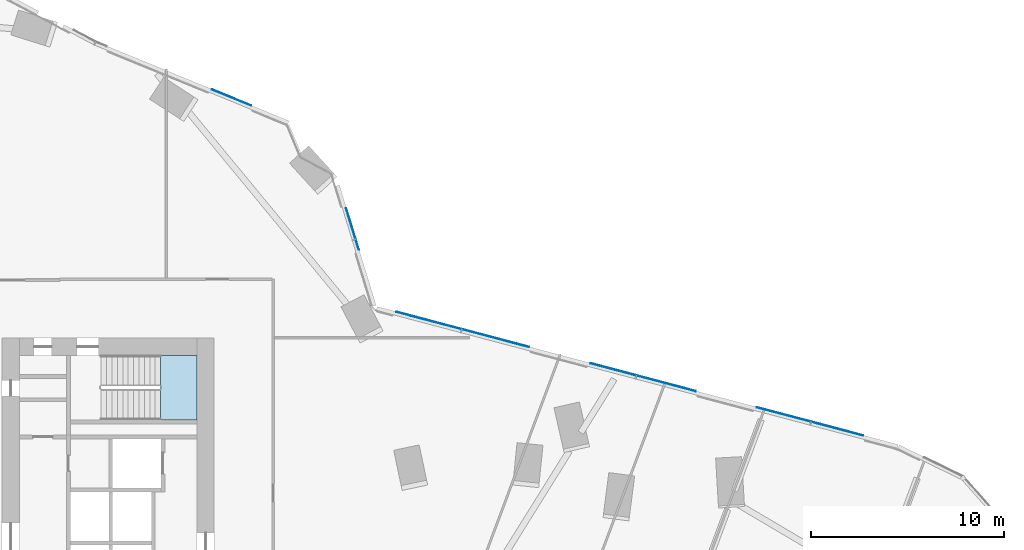
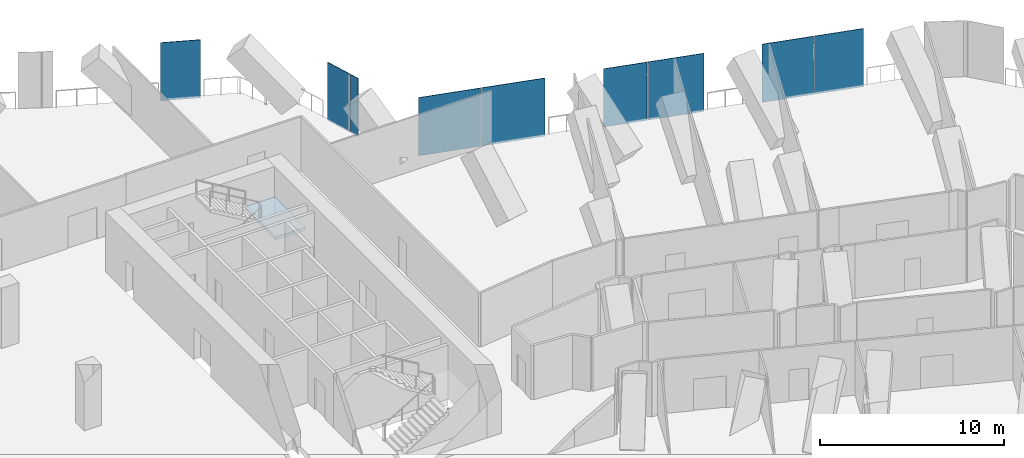
# One storey, part 24 of 34: 9 plates, 1 slab, 4 elements without a shape of their own.
"""IFC4 building model written with IfcOpenShell, lengths in metres."""

import ifcopenshell
import ifcopenshell.guid

model = None  # the IFC model being written
_history = None  # IfcOwnerHistory: only IFC2X3 demands one
_inside = {}  # id of a spatial element -> (the spatial element, [elements in it])
_under = {}  # id of a project, library or spatial element -> (it, [spatial elements below it])
_declared = {}  # id of a project -> (the project, [libraries it declares])
_typed = {}  # id of a type object -> (the type object, [elements of that type])
_made_of = {}  # id of a material, layer set ... -> (it, [elements and type objects made of it])


def new_model(schema):
    """Start an empty IFC model of exactly this schema.

    Asked for "IFC4X3", IfcOpenShell would pick the latest addendum, in which some entities
    have other attributes; the version numbers below select the first issue.
    IFC2X3 requires an IfcOwnerHistory on every rooted entity: one is made here for all.
    """
    global model, _history
    if schema == "IFC4X3":
        model = ifcopenshell.file(schema_version=(4, 3, 0, 0))
    else:
        model = ifcopenshell.file(schema=schema)
    _inside.clear()
    _under.clear()
    _declared.clear()
    _typed.clear()
    _made_of.clear()
    _history = None
    if model.schema == "IFC2X3":
        org = make("IfcOrganization", Name="unknown")
        user = make(
            "IfcPersonAndOrganization",
            ThePerson=make("IfcPerson", FamilyName="unknown"),
            TheOrganization=org,
        )
        app = make(
            "IfcApplication",
            ApplicationDeveloper=org,
            Version="unknown",
            ApplicationFullName="unknown",
            ApplicationIdentifier="unknown",
        )
        _history = make(
            "IfcOwnerHistory",
            OwningUser=user,
            OwningApplication=app,
            ChangeAction="ADDED",
            CreationDate=0,
        )
    return model


def make(cls, **values):
    """One entity of the class cls with the attributes given. An attribute that is None is left unset."""
    return model.create_entity(
        cls, **{name: value for name, value in values.items() if value is not None}
    )


def rooted(cls, **values):
    """An entity with a GlobalId (a new one), such as an element, a storey or a relation."""
    return make(cls, GlobalId=ifcopenshell.guid.new(), OwnerHistory=_history, **values)


def si_unit(unit_type, name, prefix=None):
    """IfcSIUnit, for example si_unit("LENGTHUNIT", "METRE", prefix="MILLI")."""
    return make("IfcSIUnit", UnitType=unit_type, Prefix=prefix, Name=name)


def assignment(units):
    """IfcUnitAssignment: the units of a project."""
    return None if units is None else make("IfcUnitAssignment", Units=units)


def point(xyz):
    """IfcCartesianPoint."""
    return None if xyz is None else make("IfcCartesianPoint", Coordinates=xyz)


def direction(xyz):
    """IfcDirection."""
    return None if xyz is None else make("IfcDirection", DirectionRatios=xyz)


def frame(location, z_axis=None, x_axis=None):
    """IfcAxis2Placement3D, a coordinate frame: its origin and axes. An axis left out is left unset."""
    return make(
        "IfcAxis2Placement3D",
        Location=point(location),
        Axis=direction(z_axis),
        RefDirection=direction(x_axis),
    )


def frame_2d(location, x_axis=None):
    """IfcAxis2Placement2D, a coordinate frame in the plane: its origin and x axis."""
    return make(
        "IfcAxis2Placement2D", Location=point(location), RefDirection=direction(x_axis)
    )


def origin():
    """The frame at (0, 0, 0) with its axes left unset."""
    return frame((0.0, 0.0, 0.0))


def origin_2d():
    """The frame at (0, 0) in the plane with its x axis left unset."""
    return frame_2d((0.0, 0.0))


def place(relative_to, where):
    """IfcLocalPlacement: puts the frame where relative to a parent placement (None: the world)."""
    return make(
        "IfcLocalPlacement", PlacementRelTo=relative_to, RelativePlacement=where
    )


def context(
    kind, dimensions, precision=None, world=None, true_north=None, identifier=None
):
    """IfcGeometricRepresentationContext, for example the 3D "Model" context."""
    return make(
        "IfcGeometricRepresentationContext",
        ContextIdentifier=identifier,
        ContextType=kind,
        CoordinateSpaceDimension=dimensions,
        Precision=precision,
        WorldCoordinateSystem=world,
        TrueNorth=true_north,
    )


def subcontext(parent, identifier, kind, view, scale=None):
    """IfcGeometricRepresentationSubContext, for example "Body" below "Model"."""
    return make(
        "IfcGeometricRepresentationSubContext",
        ContextIdentifier=identifier,
        ContextType=kind,
        ParentContext=parent,
        TargetScale=scale,
        TargetView=view,
    )


def project(units=None, contexts=None):
    """IfcProject with its units and contexts."""
    return rooted(
        "IfcProject",
        Name="project",
        RepresentationContexts=contexts,
        UnitsInContext=assignment(units),
    )


def spatial(cls, under=None, at=None, **own):
    """A site, building, storey or space (cls), placed at a placement, below another one or the project."""
    s = rooted(cls, ObjectPlacement=at, **own)
    if under is not None:
        _under.setdefault(under.id(), (under, []))[1].append(s)
    return s


def polyline(points):
    """IfcPolyline through the points."""
    return make("IfcPolyline", Points=[point(p) for p in points])


def profile(cls, at=None, kind="AREA", **sizes):
    """A parametric profile (cls). Its sizes go by their IFC names, for example OverallWidth=200.0."""
    return make(cls, ProfileType=kind, Position=at, **sizes)


def rectangle(**sizes):
    """IfcRectangleProfileDef."""
    return profile("IfcRectangleProfileDef", **sizes)


def outline(outer, holes=None, kind="AREA"):
    """IfcArbitraryClosedProfileDef: a profile drawn as a closed curve; with holes, ...WithVoids."""
    if holes is None:
        return make("IfcArbitraryClosedProfileDef", ProfileType=kind, OuterCurve=outer)
    return make(
        "IfcArbitraryProfileDefWithVoids",
        ProfileType=kind,
        OuterCurve=outer,
        InnerCurves=holes,
    )


def extrude(swept, where, along, depth):
    """IfcExtrudedAreaSolid: the profile swept, set in the frame where, extruded along a direction by depth."""
    return make(
        "IfcExtrudedAreaSolid",
        SweptArea=swept,
        Position=where,
        ExtrudedDirection=direction(along),
        Depth=depth,
    )


def shape(context_of_items, identifier, shape_type, items):
    """IfcShapeRepresentation: the items that make up one representation, for example the "Body"."""
    return make(
        "IfcShapeRepresentation",
        ContextOfItems=context_of_items,
        RepresentationIdentifier=identifier,
        RepresentationType=shape_type,
        Items=items,
    )


def material(Name=None, Category=None):
    """IfcMaterial."""
    return make("IfcMaterial", Name=Name, Category=Category)


def layer(
    of_material, thickness, ventilated=None, Name=None, Category=None, Priority=None
):
    """IfcMaterialLayer: one layer of a wall or slab, of a material (None: an air gap)."""
    return make(
        "IfcMaterialLayer",
        Material=of_material,
        LayerThickness=thickness,
        IsVentilated=ventilated,
        Name=Name,
        Category=Category,
        Priority=Priority,
    )


def layer_set(layers, Name=None):
    """IfcMaterialLayerSet."""
    return make("IfcMaterialLayerSet", MaterialLayers=layers, LayerSetName=Name)


def made_of(thing, what):
    """Note that an element or type object is made of a material, layer set ...; save() writes the relation."""
    if what is not None:
        _made_of.setdefault(what.id(), (what, []))[1].append(thing)
    return thing


def type_object(cls, material=None, **own):
    """A type object (cls), such as IfcWallType, which elements share."""
    return made_of(rooted(cls, **own), material)


def element(
    cls,
    number,
    at=None,
    inside=None,
    cuts=None,
    type_object=None,
    material=None,
    context=None,
    identifier="Body",
    shape_type=None,
    held_by="IfcProductDefinitionShape",
    body=None,
    shapes=None,
    **own,
):
    """One element of the class cls, such as IfcWall. Its Tag is "e" and its number.

    at: its placement. inside: the storey or other place that contains it. cuts: it is an
    opening in that element (IfcRelVoidsElement). A single representation is given by context,
    identifier, shape_type and body (its items); several are given by shapes. held_by: the class
    of the entity that holds the representations. save() writes the other relations.
    """
    e = rooted(cls, Tag="e%d" % number, ObjectPlacement=at, **own)
    if body is not None:
        shapes = [shape(context, identifier, shape_type, body)]
    if shapes is not None:
        e.Representation = make(held_by, Representations=shapes)
    if inside is not None:
        _inside.setdefault(inside.id(), (inside, []))[1].append(e)
    if cuts is not None:
        rooted(
            "IfcRelVoidsElement", RelatingBuildingElement=cuts, RelatedOpeningElement=e
        )
    if type_object is not None:
        _typed.setdefault(type_object.id(), (type_object, []))[1].append(e)
    return made_of(e, material)


def aggregate(whole, parts):
    """IfcRelAggregates: a whole, such as a stair, and the parts it consists of."""
    return rooted("IfcRelAggregates", RelatingObject=whole, RelatedObjects=parts)


def save(model, path):
    """Write the relations noted so far, then the file.

    IfcRelAggregates (storeys below a building ...), IfcRelContainedInSpatialStructure (elements
    in a storey), IfcRelDefinesByType, IfcRelAssociatesMaterial and IfcRelDeclares: one each for
    every whole, place, type object, material and project.
    """
    for whole, parts in _under.values():
        aggregate(whole, parts)
    for where, things in _inside.values():
        rooted(
            "IfcRelContainedInSpatialStructure",
            RelatedElements=things,
            RelatingStructure=where,
        )
    for kind, things in _typed.values():
        rooted("IfcRelDefinesByType", RelatedObjects=things, RelatingType=kind)
    for what, things in _made_of.values():
        rooted("IfcRelAssociatesMaterial", RelatedObjects=things, RelatingMaterial=what)
    for by, libraries in _declared.values():
        rooted("IfcRelDeclares", RelatingContext=by, RelatedDefinitions=libraries)
    model.write(path)


model = new_model("IFC4")

# Units and contexts
model_context = context("Model", 3, precision=1e-05, world=origin(), true_north=direction((0.0, 1.0)))
body_context = subcontext(model_context, "Body", "Model", "MODEL_VIEW")
ifc_project = project(units=[si_unit("LENGTHUNIT", "METRE"), si_unit("AREAUNIT", "SQUARE_METRE"), si_unit("VOLUMEUNIT", "CUBIC_METRE"), si_unit("PLANEANGLEUNIT", "RADIAN"), si_unit("MASSUNIT", "GRAM", prefix="KILO")], contexts=[model_context])

# Site, building, storey
site_placement = place(None, origin())
site = spatial("IfcSite", under=ifc_project, at=site_placement, CompositionType="ELEMENT")
building_placement = place(site_placement, origin())
building = spatial("IfcBuilding", under=site, at=building_placement, Name="Orlundy Tower", CompositionType="ELEMENT")
storey_placement = place(building_placement, frame((0.0, 0.0, 98.199951171875)))
storey = spatial("IfcBuildingStorey", under=building, at=storey_placement, Name="L24", CompositionType="ELEMENT", Elevation=98.199951171875)

# Curtain wall, plate
ifc_material_1 = material(Name="Aluminium bronze anodised", Category="aluminium")
curtain_wall_type = type_object("IfcCurtainWallType", Name="CW5 wall", PredefinedType="NOTDEFINED", material=ifc_material_1)
curtain_wall_1_placement = place(storey_placement, origin())
curtain_wall_1 = element("IfcCurtainWall", 1, at=curtain_wall_1_placement, inside=storey, type_object=curtain_wall_type, Name="CW5 run 025", PredefinedType="NOTDEFINED")
ifc_material_2 = material(Name="Tinted glass", Category="glass")
ifc_layer_1 = layer(ifc_material_2, 0.031982421875)
ifc_layer_set_1 = layer_set([ifc_layer_1], Name="CW5 glass panel 32")
plate_type_1 = type_object("IfcPlateType", Name="CW5 glass panel 32", PredefinedType="CURTAIN_PANEL", material=ifc_layer_set_1)
plate_1_placement = place(storey_placement, frame((19.904541015625, 24.455078125, -0.259765625), z_axis=(0.0, 0.0, 1.0), x_axis=(0.924990000027, -0.379991447074, 0.0)))
plate_1 = element("IfcPlate", 2, at=plate_1_placement, type_object=plate_type_1, Name="CW5 panel", PredefinedType="CURTAIN_PANEL", context=body_context, shape_type="SweptSolid", body=[
    extrude(rectangle(XDim=2.196533203125, YDim=0.031982421875, at=origin_2d()), origin(), (0.0, 0.0, 1.0), 3.860107421875),
])
aggregate(curtain_wall_1, [plate_1])

curtain_wall_2_placement = place(storey_placement, origin())
curtain_wall_2 = element("IfcCurtainWall", 3, at=curtain_wall_2_placement, inside=storey, type_object=curtain_wall_type, Name="CW5 run 028", PredefinedType="NOTDEFINED")
plate_2_placement = place(storey_placement, frame((26.08056640625, 17.93359375, -0.259765625), z_axis=(0.0, 0.0, 1.0), x_axis=(0.2924012028, -0.956295736998, 0.0)))
plate_2 = element("IfcPlate", 4, at=plate_2_placement, type_object=plate_type_1, Name="CW5 panel", PredefinedType="CURTAIN_PANEL", context=body_context, shape_type="SweptSolid", body=[
    extrude(rectangle(XDim=1.65625, YDim=0.031982421875, at=origin_2d()), origin(), (0.0, 0.0, 1.0), 3.860107421875),
])

# Curtain wall, plates
curtain_wall_3_placement = place(storey_placement, origin())
curtain_wall_3 = element("IfcCurtainWall", 5, at=curtain_wall_3_placement, inside=storey, type_object=curtain_wall_type, Name="CW5 run 029", PredefinedType="NOTDEFINED")
plate_3_placement = place(storey_placement, frame((30.116943359375, 12.904541015625, -0.259765625), z_axis=(0.0, 0.0, 1.0), x_axis=(0.966668199774, -0.256032403312, 0.0)))
plate_3 = element("IfcPlate", 6, at=plate_3_placement, type_object=plate_type_1, Name="CW5 panel", PredefinedType="CURTAIN_PANEL", context=body_context, shape_type="SweptSolid", body=[
    extrude(rectangle(XDim=3.48876953125, YDim=0.031982421875, at=origin_2d()), origin(), (0.0, 0.0, 1.0), 3.860107421875),
])
plate_4_placement = place(storey_placement, frame((33.5849609375, 11.986083984375, -0.259765625), z_axis=(0.0, 0.0, 1.0), x_axis=(0.966668199774, -0.256032403312, 0.0)))
plate_4 = element("IfcPlate", 7, at=plate_4_placement, type_object=plate_type_1, Name="CW5 panel", PredefinedType="CURTAIN_PANEL", context=body_context, shape_type="SweptSolid", body=[
    extrude(rectangle(XDim=3.586669921875, YDim=0.031982421875, at=origin_2d()), origin(), (0.0, 0.0, 1.0), 3.860107421875),
])
plate_5_placement = place(storey_placement, frame((42.435546875, 9.641845703125, -0.259765625), z_axis=(0.0, 0.0, 1.0), x_axis=(0.966668199774, -0.256032403312, 0.0)))
plate_5 = element("IfcPlate", 8, at=plate_5_placement, type_object=plate_type_1, Name="CW5 panel", PredefinedType="CURTAIN_PANEL", context=body_context, shape_type="SweptSolid", body=[
    extrude(rectangle(XDim=3.160888671875, YDim=0.031982421875, at=origin_2d()), origin(), (0.0, 0.0, 1.0), 3.860107421875),
])
plate_6_placement = place(storey_placement, frame((48.520263671875, 8.0302734375, -0.259765625), z_axis=(0.0, 0.0, 1.0), x_axis=(0.966668199774, -0.256032403312, 0.0)))
plate_6 = element("IfcPlate", 9, at=plate_6_placement, type_object=plate_type_1, Name="CW5 panel", PredefinedType="CURTAIN_PANEL", context=body_context, shape_type="SweptSolid", body=[
    extrude(rectangle(XDim=2.887451171875, YDim=0.031982421875, at=origin_2d()), origin(), (0.0, 0.0, 1.0), 3.860107421875),
])

# Plate
ifc_material_3 = material(Name="Tinted glass", Category="glass")
ifc_layer_2 = layer(ifc_material_3, 0.031982421875)
ifc_layer_set_2 = layer_set([ifc_layer_2], Name="CW5 vent panel 32")
plate_type_2 = type_object("IfcPlateType", Name="CW5 vent panel 32", PredefinedType="CURTAIN_PANEL", material=ifc_layer_set_2)
plate_7_placement = place(storey_placement, frame((26.416259765625, 16.835693359375, -0.259765625), z_axis=(0.0, 0.0, 1.0), x_axis=(0.2924012028, -0.956295736998, 0.0)))
plate_7 = element("IfcPlate", 10, at=plate_7_placement, type_object=plate_type_2, Name="CW5 panel", PredefinedType="CURTAIN_PANEL", context=body_context, shape_type="SweptSolid", body=[
    extrude(rectangle(XDim=0.539794921875, YDim=0.031982421875, at=origin_2d()), origin(), (0.0, 0.0, 1.0), 3.860107421875),
])

aggregate(curtain_wall_2, [plate_2, plate_7])

plate_8_placement = place(storey_placement, frame((39.68212890625, 10.37109375, -0.259765625), z_axis=(0.0, 0.0, 1.0), x_axis=(0.966668199774, -0.256032403312, 0.0)))
plate_8 = element("IfcPlate", 11, at=plate_8_placement, type_object=plate_type_2, Name="CW5 panel", PredefinedType="CURTAIN_PANEL", context=body_context, shape_type="SweptSolid", body=[
    extrude(rectangle(XDim=2.435546875, YDim=0.031982421875, at=origin_2d()), origin(), (0.0, 0.0, 1.0), 3.860107421875),
])

plate_9_placement = place(storey_placement, frame((51.30517578125, 7.292724609375, -0.259765625), z_axis=(0.0, 0.0, 1.0), x_axis=(0.966668199774, -0.256032403312, 0.0)))
plate_9 = element("IfcPlate", 12, at=plate_9_placement, type_object=plate_type_2, Name="CW5 panel", PredefinedType="CURTAIN_PANEL", context=body_context, shape_type="SweptSolid", body=[
    extrude(rectangle(XDim=2.774658203125, YDim=0.031982421875, at=origin_2d()), origin(), (0.0, 0.0, 1.0), 3.860107421875),
])

aggregate(curtain_wall_3, [plate_3, plate_4, plate_8, plate_5, plate_6, plate_9])

# Stair, slab
ifc_material_4 = material(Name="Concrete C50/60", Category="concrete")
stair_type = type_object("IfcStairType", Name="Exit Stair 24 risers", PredefinedType="HALF_TURN_STAIR", material=ifc_material_4)
stair_placement = place(storey_placement, origin())
stair = element("IfcStair", 13, at=stair_placement, inside=storey, type_object=stair_type, Name="L24 Exit Stair ST-E2", PredefinedType="HALF_TURN_STAIR")
ifc_material_5 = material(Name="Concrete C50/60", Category="concrete")
ifc_layer_3 = layer(ifc_material_5, 0.199951171875)
ifc_layer_set_3 = layer_set([ifc_layer_3], Name="Exit Stair Landing")
slab_type = type_object("IfcSlabType", Name="Exit Stair Landing", PredefinedType="LANDING", material=ifc_layer_set_3)
slab_placement = place(storey_placement, frame((0.0, 0.0, 1.800048828125)))
slab = element("IfcSlab", 14, at=slab_placement, type_object=slab_type, Name="ST-E2 landing 1", PredefinedType="LANDING", context=body_context, shape_type="SweptSolid", body=[
    extrude(outline(polyline([(16.219970703125, 7.75), (18.10009765625, 7.75), (18.10009765625, 11.10009765625), (16.219970703125, 11.10009765625), (16.219970703125, 7.75)])), origin(), (0.0, 0.0, 1.0), 0.199951171875),
])
aggregate(stair, [slab])

save(model, "model.ifc")
